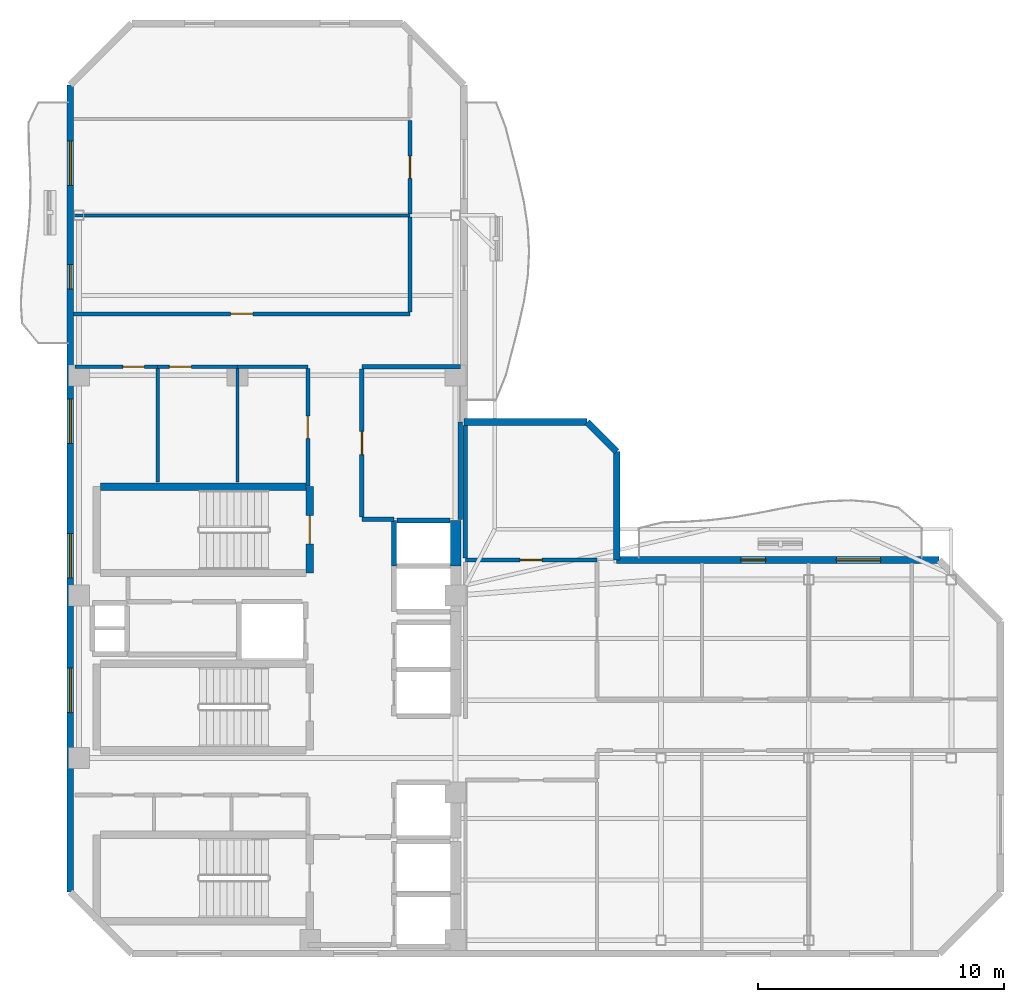
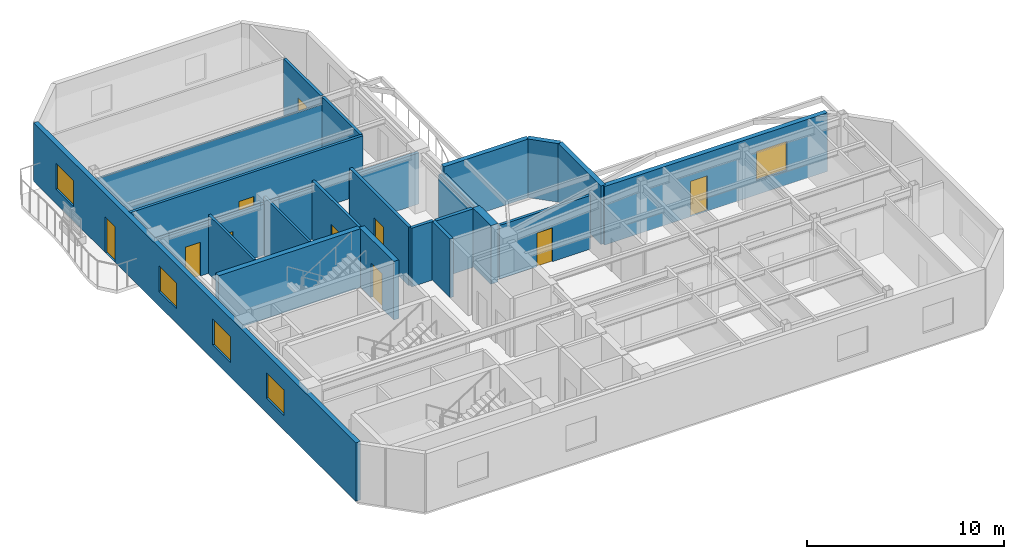
# One storey, part 4 of 7: 26 walls, 10 doors, 5 windows, 15 openings.
"""IFC4 building model written with IfcOpenShell, lengths in metres."""

from ifc_helpers import new_model, si_unit, direction, frame, frame_2d, origin, place, context, subcontext, project, spatial, rectangle, extrude, material, layer, layer_set, type_object, element, fill, save


model = new_model("IFC4")

# Units and contexts
model_context = context("Model", 3, precision=1e-05, world=origin(), true_north=direction((0.0, 1.0)))
body_context = subcontext(model_context, "Body", "Model", "MODEL_VIEW")
ifc_project = project(units=[si_unit("LENGTHUNIT", "METRE"), si_unit("AREAUNIT", "SQUARE_METRE"), si_unit("VOLUMEUNIT", "CUBIC_METRE"), si_unit("PLANEANGLEUNIT", "RADIAN"), si_unit("MASSUNIT", "GRAM", prefix="KILO")], contexts=[model_context])

# Site, building, storey
site_placement = place(None, origin())
site = spatial("IfcSite", under=ifc_project, at=site_placement, CompositionType="ELEMENT")
building_placement = place(site_placement, origin())
building = spatial("IfcBuilding", under=site, at=building_placement, Name="Mawjaban Terraces University", CompositionType="ELEMENT")
storey_placement = place(building_placement, frame((0.0, 0.0, 302.800048828125)))
storey = spatial("IfcBuildingStorey", under=building, at=storey_placement, Name="L74", CompositionType="ELEMENT", Elevation=302.800048828125)

# Walls
ifc_material_1 = material(Name="Acoustic masonry blockwork", Category="masonry")
ifc_layer_1 = layer(ifc_material_1, 0.179931640625)
ifc_layer_set_1 = layer_set([ifc_layer_1], Name="Acoustic masonry blockwork")
wall_type_1 = type_object("IfcWallType", Name="AcousticStudioWall_180", PredefinedType="PARTITIONING", material=ifc_layer_set_1)
wall_1_placement = place(storey_placement, frame((33.85009765625, 17.64990234375, 0.0), z_axis=(0.0, 0.0, 1.0), x_axis=(1.0, 0.0, 0.0)))
element("IfcWall", 1, at=wall_1_placement, inside=storey, type_object=wall_type_1, Name="L74 Graduate Research Collaboration Studio Partition 10", PredefinedType="PARTITIONING", context=body_context, shape_type="SweptSolid", body=[
    extrude(rectangle(XDim=1.2998046875, YDim=0.179931640625, at=frame_2d((0.64990234375, 0.0))), origin(), (0.0, 0.0, 1.0), 3.639892578125),
])
wall_2_placement = place(storey_placement, frame((37.85009765625, 23.85009765625, 0.0), z_axis=(0.0, 0.0, 1.0), x_axis=(-1.0, 0.0, 0.0)))
element("IfcWall", 2, at=wall_2_placement, inside=storey, type_object=wall_type_1, Name="L74 Graduate Research Collaboration Studio Partition 15", PredefinedType="PARTITIONING", context=body_context, shape_type="SweptSolid", body=[
    extrude(rectangle(XDim=4.0, YDim=0.179931640625, at=frame_2d((2.0, 0.0))), origin(), (0.0, 0.0, 1.0), 3.1708984375),
])

# Wall, opening, door
wall_3_placement = place(storey_placement, frame((33.85009765625, 17.735107421875, 0.0), z_axis=(0.0, 0.0, 1.0), x_axis=(0.0, 1.0, 0.0)))
wall_3 = element("IfcWall", 3, at=wall_3_placement, inside=storey, type_object=wall_type_1, Name="L74 Core North Lift Lobby Partition 33", PredefinedType="PARTITIONING", context=body_context, shape_type="SweptSolid", body=[
    extrude(rectangle(XDim=6.02978515625, YDim=0.179931640625, at=frame_2d((3.014892578125, 0.0))), origin(), (0.0, 0.0, 1.0), 3.639892578125),
])
opening_1_placement = place(wall_3_placement, frame((2.5400390625, 0.0, 0.0)))
opening_1 = element("IfcOpeningElement", 4, at=opening_1_placement, cuts=wall_3, Name="Opening ID-095", PredefinedType="OPENING", context=body_context, shape_type="SweptSolid", body=[
    extrude(rectangle(XDim=0.949951171875, YDim=2.10009765625, at=frame_2d((0.47509765625, 1.050048828125))), frame((0.0, 0.099853515625, 0.0), z_axis=(0.0, -1.0, 0.0), x_axis=(1.0, 0.0, 0.0)), (0.0, 0.0, 1.0), 0.199951171875),
])
ifc_material_2 = material(Name="Powder-coated steel frame and solid acoustic timber leaf", Category="steel")
door_type_1 = type_object("IfcDoorType", Name="StudioDoor_950x2100", OperationType="NOTDEFINED", PredefinedType="DOOR", material=ifc_material_2)
door_1_placement = place(opening_1_placement, origin())
door_1 = element("IfcDoor", 5, at=door_1_placement, inside=storey, type_object=door_type_1, Name="L74 Graduate Research Collaboration Studio Door", OperationType="SINGLE_SWING_RIGHT", OverallHeight=2.10009765625, OverallWidth=0.949951171875, PredefinedType="DOOR", context=body_context, shape_type="SweptSolid", body=[
    extrude(rectangle(XDim=0.949951171875, YDim=2.10009765625, at=frame_2d((0.47509765625, 1.050048828125))), frame((0.0, 0.02490234375, 0.0), z_axis=(0.0, -1.0, 0.0), x_axis=(1.0, 0.0, 0.0)), (0.0, 0.0, 1.0), 0.050048828125),
])
fill(opening_1, door_1)

# Walls
wall_4_placement = place(storey_placement, frame((37.85009765625, 17.64990234375, 0.0), z_axis=(0.0, 0.0, 1.0), x_axis=(0.0, 1.0, 0.0)))
element("IfcWall", 6, at=wall_4_placement, inside=storey, type_object=wall_type_1, Name="L74 Graduate Research Collaboration Studio Partition 37", PredefinedType="PARTITIONING", context=body_context, shape_type="SweptSolid", body=[
    extrude(rectangle(XDim=3.9501953125, YDim=0.179931640625, at=frame_2d((1.97509765625, 0.0))), origin(), (0.0, 0.0, 1.0), 3.1708984375),
])
wall_5_placement = place(storey_placement, frame((38.050048828125, 21.468017578125, 0.0), z_axis=(0.0, 0.0, 1.0), x_axis=(0.0, -1.0, 0.0)))
element("IfcWall", 7, at=wall_5_placement, inside=storey, type_object=wall_type_1, Name="L74 Terrace Collaborative Study Room Partition 40", PredefinedType="PARTITIONING", context=body_context, shape_type="SweptSolid", body=[
    extrude(rectangle(XDim=5.39306640625, YDim=0.179931640625, at=frame_2d((2.696533203125, 0.0))), origin(), (0.0, 0.0, 1.0), 3.1708984375),
])
ifc_material_3 = material(Name="Concrete C50/60", Category="concrete")
ifc_layer_2 = layer(ifc_material_3, 0.419921875)
ifc_layer_set_2 = layer_set([ifc_layer_2], Name="Concrete C50/60")
wall_type_2 = type_object("IfcWallType", Name="CoreShearWall_420", PredefinedType="SHEAR", material=ifc_layer_set_2)
wall_6_placement = place(storey_placement, frame((37.659912109375, 15.75, 0.0), z_axis=(0.0, 0.0, 1.0), x_axis=(0.0, 1.0, 0.0)))
element("IfcWall", 8, at=wall_6_placement, inside=storey, type_object=wall_type_2, Name="L74 Lift OL-2 Hoistway Wall East", PredefinedType="SHEAR", context=body_context, shape_type="SweptSolid", body=[
    extrude(rectangle(XDim=1.85009765625, YDim=0.419921875, at=frame_2d((0.925048828125, 0.0))), origin(), (0.0, 0.0, 1.0), 3.639892578125),
])

# Wall, opening, door
ifc_material_4 = material(Name="Fire-rated gypsum board on steel stud", Category="steel")
ifc_layer_3 = layer(ifc_material_4, 0.159912109375)
ifc_layer_set_3 = layer_set([ifc_layer_3], Name="Fire-rated gypsum board on steel stud")
wall_type_3 = type_object("IfcWallType", Name="CorridorPartition_160", PredefinedType="PARTITIONING", material=ifc_layer_set_3)
wall_7_placement = place(storey_placement, frame((25.550048828125, 23.85009765625, 0.0), z_axis=(0.0, 0.0, 1.0), x_axis=(-1.0, 0.0, 0.0)))
wall_7 = element("IfcWall", 9, at=wall_7_placement, inside=storey, type_object=wall_type_3, Name="L74 Ablution Room Partition 5", PredefinedType="PARTITIONING", context=body_context, shape_type="SweptSolid", body=[
    extrude(rectangle(XDim=3.35009765625, YDim=0.159912109375, at=frame_2d((1.675048828125, 0.0))), origin(), (0.0, 0.0, 1.0), 3.1708984375),
])
opening_2_placement = place(wall_7_placement, frame((0.534912109375, 0.0, 0.0)))
opening_2 = element("IfcOpeningElement", 10, at=opening_2_placement, cuts=wall_7, Name="Opening ID-088", PredefinedType="OPENING", context=body_context, shape_type="SweptSolid", body=[
    extrude(rectangle(XDim=0.8798828125, YDim=2.10009765625, at=frame_2d((0.43994140625, 1.050048828125))), frame((0.0, 0.08984375, 0.0), z_axis=(0.0, -1.0, 0.0), x_axis=(1.0, 0.0, 0.0)), (0.0, 0.0, 1.0), 0.179931640625),
])
door_type_2 = type_object("IfcDoorType", Name="ToiletDoor_880x2100", OperationType="NOTDEFINED", PredefinedType="DOOR", material=ifc_material_2)
door_2_placement = place(opening_2_placement, origin())
door_2 = element("IfcDoor", 11, at=door_2_placement, inside=storey, type_object=door_type_2, Name="L74 Ablution Room Door", OperationType="SINGLE_SWING_RIGHT", OverallHeight=2.10009765625, OverallWidth=0.8798828125, PredefinedType="DOOR", context=body_context, shape_type="SweptSolid", body=[
    extrude(rectangle(XDim=0.8798828125, YDim=2.10009765625, at=frame_2d((0.43994140625, 1.050048828125))), frame((0.0, 0.02490234375, 0.0), z_axis=(0.0, -1.0, 0.0), x_axis=(1.0, 0.0, 0.0)), (0.0, 0.0, 1.0), 0.050048828125),
])
fill(opening_2, door_2)

wall_8_placement = place(storey_placement, frame((28.800048828125, 23.85009765625, 0.0), z_axis=(0.0, 0.0, 1.0), x_axis=(-1.0, 0.0, 0.0)))
wall_8 = element("IfcWall", 12, at=wall_8_placement, inside=storey, type_object=wall_type_3, Name="L74 Cleaner Store Partition 7", PredefinedType="PARTITIONING", context=body_context, shape_type="SweptSolid", body=[
    extrude(rectangle(XDim=3.25, YDim=0.159912109375, at=frame_2d((1.625, 0.0))), origin(), (0.0, 0.0, 1.0), 3.1708984375),
])
opening_3_placement = place(wall_8_placement, frame((1.875, 0.0, 0.0)))
opening_3 = element("IfcOpeningElement", 13, at=opening_3_placement, cuts=wall_8, Name="Opening ID-090", PredefinedType="OPENING", context=body_context, shape_type="SweptSolid", body=[
    extrude(rectangle(XDim=0.89990234375, YDim=2.10009765625, at=frame_2d((0.449951171875, 1.050048828125))), frame((0.0, 0.08984375, 0.0), z_axis=(0.0, -1.0, 0.0), x_axis=(1.0, 0.0, 0.0)), (0.0, 0.0, 1.0), 0.179931640625),
])
door_type_3 = type_object("IfcDoorType", Name="OfficeDoor_900x2100", OperationType="NOTDEFINED", PredefinedType="DOOR", material=ifc_material_2)
door_3_placement = place(opening_3_placement, origin())
door_3 = element("IfcDoor", 14, at=door_3_placement, inside=storey, type_object=door_type_3, Name="L74 Cleaner Store Door", OperationType="SINGLE_SWING_LEFT", OverallHeight=2.10009765625, OverallWidth=0.89990234375, PredefinedType="DOOR", context=body_context, shape_type="SweptSolid", body=[
    extrude(rectangle(XDim=0.89990234375, YDim=2.10009765625, at=frame_2d((0.449951171875, 1.050048828125))), frame((0.0, 0.02490234375, 0.0), z_axis=(0.0, -1.0, 0.0), x_axis=(1.0, 0.0, 0.0)), (0.0, 0.0, 1.0), 0.050048828125),
])
fill(opening_3, door_3)

# Wall
wall_9_placement = place(storey_placement, frame((31.64990234375, 23.85009765625, 0.0), z_axis=(0.0, 0.0, 1.0), x_axis=(-1.0, 0.0, 0.0)))
element("IfcWall", 15, at=wall_9_placement, inside=storey, type_object=wall_type_3, Name="L74 Faculty Academic Resource Office Partition 9", PredefinedType="PARTITIONING", context=body_context, shape_type="SweptSolid", body=[
    extrude(rectangle(XDim=2.849853515625, YDim=0.159912109375, at=frame_2d((1.4248046875, 0.0))), origin(), (0.0, 0.0, 1.0), 3.1708984375),
])

# Wall, opening, door
wall_10_placement = place(storey_placement, frame((35.800048828125, 26.0, 0.0), z_axis=(0.0, 0.0, 1.0), x_axis=(-1.0, 0.0, 0.0)))
wall_10 = element("IfcWall", 16, at=wall_10_placement, inside=storey, type_object=wall_type_3, Name="L74 North Core Cross-Corridor Partition 12", PredefinedType="PARTITIONING", context=body_context, shape_type="SweptSolid", body=[
    extrude(rectangle(XDim=13.6669921875, YDim=0.159912109375, at=frame_2d((6.83349609375, 0.0))), origin(), (0.0, 0.0, 1.0), 3.639892578125),
])
opening_4_placement = place(wall_10_placement, frame((6.383056640625, 0.0, 0.0)))
opening_4 = element("IfcOpeningElement", 17, at=opening_4_placement, cuts=wall_10, Name="Opening ID-090", PredefinedType="OPENING", context=body_context, shape_type="SweptSolid", body=[
    extrude(rectangle(XDim=0.89990234375, YDim=2.10009765625, at=frame_2d((0.449951171875, 1.050048828125))), frame((0.0, 0.08984375, 0.0), z_axis=(0.0, -1.0, 0.0), x_axis=(1.0, 0.0, 0.0)), (0.0, 0.0, 1.0), 0.179931640625),
])
door_4_placement = place(opening_4_placement, origin())
door_4 = element("IfcDoor", 18, at=door_4_placement, inside=storey, type_object=door_type_3, Name="L74 Student Tea Pantry 10 Door", OperationType="SINGLE_SWING_LEFT", OverallHeight=2.10009765625, OverallWidth=0.89990234375, PredefinedType="DOOR", context=body_context, shape_type="SweptSolid", body=[
    extrude(rectangle(XDim=0.89990234375, YDim=2.10009765625, at=frame_2d((0.449951171875, 1.050048828125))), frame((0.0, 0.02490234375, 0.0), z_axis=(0.0, -1.0, 0.0), x_axis=(1.0, 0.0, 0.0)), (0.0, 0.0, 1.0), 0.050048828125),
])
fill(opening_4, door_4)

wall_11_placement = place(storey_placement, frame((43.39990234375, 16.0, 0.0), z_axis=(0.0, 0.0, 1.0), x_axis=(-1.0, 0.0, 0.0)))
wall_11 = element("IfcWall", 19, at=wall_11_placement, inside=storey, type_object=wall_type_3, Name="L74 Upper Research Hub Concourse Partition 18", PredefinedType="PARTITIONING", context=body_context, shape_type="SweptSolid", body=[
    extrude(rectangle(XDim=5.349853515625, YDim=0.159912109375, at=frame_2d((2.6748046875, 0.0))), origin(), (0.0, 0.0, 1.0), 3.33984375),
])
opening_5_placement = place(wall_11_placement, frame((2.22509765625, 0.0, 0.0)))
opening_5 = element("IfcOpeningElement", 20, at=opening_5_placement, cuts=wall_11, Name="Opening ID-090", PredefinedType="OPENING", context=body_context, shape_type="SweptSolid", body=[
    extrude(rectangle(XDim=0.89990234375, YDim=2.10009765625, at=frame_2d((0.449951171875, 1.050048828125))), frame((0.0, 0.08984375, 0.0), z_axis=(0.0, -1.0, 0.0), x_axis=(1.0, 0.0, 0.0)), (0.0, 0.0, 1.0), 0.179931640625),
])
door_5_placement = place(opening_5_placement, origin())
door_5 = element("IfcDoor", 21, at=door_5_placement, inside=storey, type_object=door_type_3, Name="L74 Terrace Collaborative Study Room Door", OperationType="SINGLE_SWING_RIGHT", OverallHeight=2.10009765625, OverallWidth=0.89990234375, PredefinedType="DOOR", context=body_context, shape_type="SweptSolid", body=[
    extrude(rectangle(XDim=0.89990234375, YDim=2.10009765625, at=frame_2d((0.449951171875, 1.050048828125))), frame((0.0, 0.02490234375, 0.0), z_axis=(0.0, -1.0, 0.0), x_axis=(1.0, 0.0, 0.0)), (0.0, 0.0, 1.0), 0.050048828125),
])
fill(opening_5, door_5)

wall_12_placement = place(storey_placement, frame((31.64990234375, 19.010009765625, 0.0), z_axis=(0.0, 0.0, 1.0), x_axis=(0.0, 1.0, 0.0)))
wall_12 = element("IfcWall", 22, at=wall_12_placement, inside=storey, type_object=wall_type_3, Name="L74 Faculty Academic Resource Office Partition 32", PredefinedType="PARTITIONING", context=body_context, shape_type="SweptSolid", body=[
    extrude(rectangle(XDim=4.764892578125, YDim=0.159912109375, at=frame_2d((2.38232421875, 0.0))), origin(), (0.0, 0.0, 1.0), 3.639892578125),
])
opening_6_placement = place(wall_12_placement, frame((1.931884765625, 0.0, 0.0)))
opening_6 = element("IfcOpeningElement", 23, at=opening_6_placement, cuts=wall_12, Name="Opening ID-090", PredefinedType="OPENING", context=body_context, shape_type="SweptSolid", body=[
    extrude(rectangle(XDim=0.89990234375, YDim=2.10009765625, at=frame_2d((0.449951171875, 1.050048828125))), frame((0.0, 0.08984375, 0.0), z_axis=(0.0, -1.0, 0.0), x_axis=(1.0, 0.0, 0.0)), (0.0, 0.0, 1.0), 0.179931640625),
])
door_6_placement = place(opening_6_placement, origin())
door_6 = element("IfcDoor", 24, at=door_6_placement, inside=storey, type_object=door_type_3, Name="L74 Faculty Academic Resource Office Door", OperationType="SINGLE_SWING_LEFT", OverallHeight=2.10009765625, OverallWidth=0.89990234375, PredefinedType="DOOR", context=body_context, shape_type="SweptSolid", body=[
    extrude(rectangle(XDim=0.89990234375, YDim=2.10009765625, at=frame_2d((0.449951171875, 1.050048828125))), frame((0.0, 0.02490234375, 0.0), z_axis=(0.0, -1.0, 0.0), x_axis=(1.0, 0.0, 0.0)), (0.0, 0.0, 1.0), 0.050048828125),
])
fill(opening_6, door_6)

# Wall
wall_13_placement = place(storey_placement, frame((35.800048828125, 29.94189453125, 0.0), z_axis=(0.0, 0.0, 1.0), x_axis=(0.0, -1.0, 0.0)))
element("IfcWall", 25, at=wall_13_placement, inside=storey, type_object=wall_type_3, Name="L74 Upper North Research Gallery Partition 34", PredefinedType="PARTITIONING", context=body_context, shape_type="SweptSolid", body=[
    extrude(rectangle(XDim=3.866943359375, YDim=0.159912109375, at=frame_2d((1.93359375, 0.0))), origin(), (0.0, 0.0, 1.0), 3.639892578125),
])

# Wall, opening, door
wall_14_placement = place(storey_placement, frame((35.800048828125, 33.85205078125, 0.0), z_axis=(0.0, 0.0, 1.0), x_axis=(0.0, -1.0, 0.0)))
wall_14 = element("IfcWall", 26, at=wall_14_placement, inside=storey, type_object=wall_type_3, Name="L74 Upper North Research Gallery Partition 35", PredefinedType="PARTITIONING", context=body_context, shape_type="SweptSolid", body=[
    extrude(rectangle(XDim=3.7939453125, YDim=0.159912109375, at=frame_2d((1.89697265625, 0.0))), origin(), (0.0, 0.0, 1.0), 3.639892578125),
])
opening_7_placement = place(wall_14_placement, frame((1.447021484375, 0.0, 0.0)))
opening_7 = element("IfcOpeningElement", 27, at=opening_7_placement, cuts=wall_14, Name="Opening ID-090", PredefinedType="OPENING", context=body_context, shape_type="SweptSolid", body=[
    extrude(rectangle(XDim=0.89990234375, YDim=2.10009765625, at=frame_2d((0.449951171875, 1.050048828125))), frame((0.0, 0.08984375, 0.0), z_axis=(0.0, -1.0, 0.0), x_axis=(1.0, 0.0, 0.0)), (0.0, 0.0, 1.0), 0.179931640625),
])
door_7_placement = place(opening_7_placement, origin())
door_7 = element("IfcDoor", 28, at=door_7_placement, inside=storey, type_object=door_type_3, Name="L74 Student Tea Pantry 11 Door", OperationType="SINGLE_SWING_RIGHT", OverallHeight=2.10009765625, OverallWidth=0.89990234375, PredefinedType="DOOR", context=body_context, shape_type="SweptSolid", body=[
    extrude(rectangle(XDim=0.89990234375, YDim=2.10009765625, at=frame_2d((0.449951171875, 1.050048828125))), frame((0.0, 0.02490234375, 0.0), z_axis=(0.0, -1.0, 0.0), x_axis=(1.0, 0.0, 0.0)), (0.0, 0.0, 1.0), 0.050048828125),
])
fill(opening_7, door_7)

# Wall, openings, door, window
ifc_material_5 = material(Name="Insulated terracotta rainscreen on concrete backup C40/50", Category="masonry")
ifc_layer_4 = layer(ifc_material_5, 0.27490234375)
ifc_layer_set_4 = layer_set([ifc_layer_4], Name="Insulated terracotta rainscreen on concrete backup C40/50")
wall_type_4 = type_object("IfcWallType", Name="ExtTerracottaWall_275", PredefinedType="SOLIDWALL", material=ifc_layer_set_4)
wall_15_placement = place(storey_placement, frame((57.300048828125, 16.0, 0.0), z_axis=(0.0, 0.0, 1.0), x_axis=(-1.0, 0.0, 0.0)))
wall_15 = element("IfcWall", 29, at=wall_15_placement, inside=storey, type_object=wall_type_4, Name="L74 Exterior Terracotta Wall 5", PredefinedType="SOLIDWALL", context=body_context, shape_type="SweptSolid", body=[
    extrude(rectangle(XDim=13.10009765625, YDim=0.27490234375, at=frame_2d((6.550048828125, 0.0))), origin(), (0.0, 0.0, 1.0), 3.639892578125),
])
opening_8_placement = place(wall_15_placement, frame((7.050048828125, 0.0, 0.0)))
opening_8 = element("IfcOpeningElement", 30, at=opening_8_placement, cuts=wall_15, Name="Opening BD-100", PredefinedType="OPENING", context=body_context, shape_type="SweptSolid", body=[
    extrude(rectangle(XDim=1.0, YDim=2.199951171875, at=frame_2d((0.5, 1.10009765625))), frame((0.0, 0.1474609375, 0.0), z_axis=(0.0, -1.0, 0.0), x_axis=(1.0, 0.0, 0.0)), (0.0, 0.0, 1.0), 0.294921875),
])
opening_9_placement = place(wall_15_placement, frame((2.375, 0.0, 0.89990234375)))
opening_9 = element("IfcOpeningElement", 31, at=opening_9_placement, cuts=wall_15, Name="Opening W-07", PredefinedType="OPENING", context=body_context, shape_type="SweptSolid", body=[
    extrude(rectangle(XDim=1.800048828125, YDim=1.800048828125, at=frame_2d((0.89990234375, 0.89990234375))), frame((0.0, 0.1474609375, 0.0), z_axis=(0.0, -1.0, 0.0), x_axis=(1.0, 0.0, 0.0)), (0.0, 0.0, 1.0), 0.294921875),
])
ifc_material_6 = material(Name="Thermally broken anodised aluminium and laminated safety glass", Category="aluminium")
door_type_4 = type_object("IfcDoorType", Name="BalconyGlazedDoor_1000x2200", OperationType="NOTDEFINED", PredefinedType="DOOR", material=ifc_material_6)
door_8_placement = place(opening_8_placement, origin())
door_8 = element("IfcDoor", 32, at=door_8_placement, inside=storey, type_object=door_type_4, Name="L74 Balcony Access Door inner_north", OperationType="SINGLE_SWING_LEFT", OverallHeight=2.199951171875, OverallWidth=1.0, PredefinedType="DOOR", context=body_context, shape_type="SweptSolid", body=[
    extrude(rectangle(XDim=1.0, YDim=2.199951171875, at=frame_2d((0.5, 1.10009765625))), frame((0.0, 0.02490234375, 0.0), z_axis=(0.0, -1.0, 0.0), x_axis=(1.0, 0.0, 0.0)), (0.0, 0.0, 1.0), 0.050048828125),
])
fill(opening_8, door_8)
ifc_material_7 = material(Name="Low-E solar-control double glazing in thermally broken aluminium frame", Category="aluminium")
window_type_1 = type_object("IfcWindowType", Name="Win_1800x1800", PartitioningType="SINGLE_PANEL", PredefinedType="WINDOW", material=ifc_material_7)
window_1_placement = place(opening_9_placement, origin())
window_1 = element("IfcWindow", 33, at=window_1_placement, inside=storey, type_object=window_type_1, Name="L74 Facade Window 5.1", OverallHeight=1.800048828125, OverallWidth=1.800048828125, PartitioningType="SINGLE_PANEL", PredefinedType="WINDOW", context=body_context, shape_type="SweptSolid", body=[
    extrude(rectangle(XDim=1.800048828125, YDim=1.800048828125, at=frame_2d((0.89990234375, 0.89990234375))), frame((0.0, 0.030029296875, 0.0), z_axis=(0.0, -1.0, 0.0), x_axis=(1.0, 0.0, 0.0)), (0.0, 0.0, 1.0), 0.06005859375),
])
fill(opening_9, window_1)

# Walls
wall_16_placement = place(storey_placement, frame((44.199951171875, 16.0, 0.0), z_axis=(0.0, 0.0, 1.0), x_axis=(0.0, 1.0, 0.0)))
element("IfcWall", 34, at=wall_16_placement, inside=storey, type_object=wall_type_4, Name="L74 Exterior Terracotta Wall 6", PredefinedType="SOLIDWALL", context=body_context, shape_type="SweptSolid", body=[
    extrude(rectangle(XDim=4.39990234375, YDim=0.27490234375, at=frame_2d((2.199951171875, 0.0))), origin(), (0.0, 0.0, 1.0), 3.639892578125),
])
wall_17_placement = place(storey_placement, frame((44.199951171875, 20.39990234375, 0.0), z_axis=(0.0, 0.0, 1.0), x_axis=(-0.707034851297, 0.707178703759, 0.0)))
element("IfcWall", 35, at=wall_17_placement, inside=storey, type_object=wall_type_4, Name="L74 Exterior Terracotta Wall 7", PredefinedType="SOLIDWALL", context=body_context, shape_type="SweptSolid", body=[
    extrude(rectangle(XDim=1.697265625, YDim=0.27490234375, at=frame_2d((0.8486328125, 0.0))), origin(), (0.0, 0.0, 1.0), 3.639892578125),
])
wall_18_placement = place(storey_placement, frame((43.0, 21.60009765625, 0.0), z_axis=(0.0, 0.0, 1.0), x_axis=(-1.0, 0.0, 0.0)))
element("IfcWall", 36, at=wall_18_placement, inside=storey, type_object=wall_type_4, Name="L74 Exterior Terracotta Wall 8", PredefinedType="SOLIDWALL", context=body_context, shape_type="SweptSolid", body=[
    extrude(rectangle(XDim=5.0, YDim=0.27490234375, at=frame_2d((2.5, 0.0))), origin(), (0.0, 0.0, 1.0), 3.639892578125),
])

# Wall, openings, door, windows
wall_19_placement = place(storey_placement, frame((22.0, 35.300048828125, 0.0), z_axis=(0.0, 0.0, 1.0), x_axis=(0.0, -1.0, 0.0)))
wall_19 = element("IfcWall", 37, at=wall_19_placement, inside=storey, type_object=wall_type_4, Name="L74 Exterior Terracotta Wall 13", PredefinedType="SOLIDWALL", context=body_context, shape_type="SweptSolid", body=[
    extrude(rectangle(XDim=32.800048828125, YDim=0.27490234375, at=frame_2d((16.39990234375, 0.0))), origin(), (0.0, 0.0, 1.0), 3.639892578125),
])
opening_10_placement = place(wall_19_placement, frame((7.300048828125, 0.0, 0.0)))
opening_10 = element("IfcOpeningElement", 38, at=opening_10_placement, cuts=wall_19, Name="Opening BD-100", PredefinedType="OPENING", context=body_context, shape_type="SweptSolid", body=[
    extrude(rectangle(XDim=1.0, YDim=2.199951171875, at=frame_2d((0.5, 1.10009765625))), frame((0.0, 0.1474609375, 0.0), z_axis=(0.0, -1.0, 0.0), x_axis=(1.0, 0.0, 0.0)), (0.0, 0.0, 1.0), 0.294921875),
])
opening_11_placement = place(wall_19_placement, frame((2.282958984375, 0.0, 0.89990234375)))
opening_11 = element("IfcOpeningElement", 39, at=opening_11_placement, cuts=wall_19, Name="Opening W-03", PredefinedType="OPENING", context=body_context, shape_type="SweptSolid", body=[
    extrude(rectangle(XDim=1.800048828125, YDim=1.60009765625, at=frame_2d((0.89990234375, 0.800048828125))), frame((0.0, 0.1474609375, 0.0), z_axis=(0.0, -1.0, 0.0), x_axis=(1.0, 0.0, 0.0)), (0.0, 0.0, 1.0), 0.294921875),
])
opening_12_placement = place(wall_19_placement, frame((12.76708984375, 0.0, 0.89990234375)))
opening_12 = element("IfcOpeningElement", 40, at=opening_12_placement, cuts=wall_19, Name="Opening W-03", PredefinedType="OPENING", context=body_context, shape_type="SweptSolid", body=[
    extrude(rectangle(XDim=1.800048828125, YDim=1.60009765625, at=frame_2d((0.89990234375, 0.800048828125))), frame((0.0, 0.1474609375, 0.0), z_axis=(0.0, -1.0, 0.0), x_axis=(1.0, 0.0, 0.0)), (0.0, 0.0, 1.0), 0.294921875),
])
opening_13_placement = place(wall_19_placement, frame((18.23291015625, 0.0, 0.89990234375)))
opening_13 = element("IfcOpeningElement", 41, at=opening_13_placement, cuts=wall_19, Name="Opening W-03", PredefinedType="OPENING", context=body_context, shape_type="SweptSolid", body=[
    extrude(rectangle(XDim=1.800048828125, YDim=1.60009765625, at=frame_2d((0.89990234375, 0.800048828125))), frame((0.0, 0.1474609375, 0.0), z_axis=(0.0, -1.0, 0.0), x_axis=(1.0, 0.0, 0.0)), (0.0, 0.0, 1.0), 0.294921875),
])
opening_14_placement = place(wall_19_placement, frame((23.699951171875, 0.0, 0.89990234375)))
opening_14 = element("IfcOpeningElement", 42, at=opening_14_placement, cuts=wall_19, Name="Opening W-03", PredefinedType="OPENING", context=body_context, shape_type="SweptSolid", body=[
    extrude(rectangle(XDim=1.800048828125, YDim=1.60009765625, at=frame_2d((0.89990234375, 0.800048828125))), frame((0.0, 0.1474609375, 0.0), z_axis=(0.0, -1.0, 0.0), x_axis=(1.0, 0.0, 0.0)), (0.0, 0.0, 1.0), 0.294921875),
])
door_9_placement = place(opening_10_placement, origin())
door_9 = element("IfcDoor", 43, at=door_9_placement, inside=storey, type_object=door_type_4, Name="L74 Balcony Access Door west", OperationType="SINGLE_SWING_LEFT", OverallHeight=2.199951171875, OverallWidth=1.0, PredefinedType="DOOR", context=body_context, shape_type="SweptSolid", body=[
    extrude(rectangle(XDim=1.0, YDim=2.199951171875, at=frame_2d((0.5, 1.10009765625))), frame((0.0, 0.02490234375, 0.0), z_axis=(0.0, -1.0, 0.0), x_axis=(1.0, 0.0, 0.0)), (0.0, 0.0, 1.0), 0.050048828125),
])
fill(opening_10, door_9)
window_type_2 = type_object("IfcWindowType", Name="Win_1800x1600", PartitioningType="SINGLE_PANEL", PredefinedType="WINDOW", material=ifc_material_7)
window_2_placement = place(opening_11_placement, origin())
window_2 = element("IfcWindow", 44, at=window_2_placement, inside=storey, type_object=window_type_2, Name="L74 Facade Window 13.1", OverallHeight=1.60009765625, OverallWidth=1.800048828125, PartitioningType="SINGLE_PANEL", PredefinedType="WINDOW", context=body_context, shape_type="SweptSolid", body=[
    extrude(rectangle(XDim=1.800048828125, YDim=1.60009765625, at=frame_2d((0.89990234375, 0.800048828125))), frame((0.0, 0.030029296875, 0.0), z_axis=(0.0, -1.0, 0.0), x_axis=(1.0, 0.0, 0.0)), (0.0, 0.0, 1.0), 0.06005859375),
])
fill(opening_11, window_2)
window_3_placement = place(opening_12_placement, origin())
window_3 = element("IfcWindow", 45, at=window_3_placement, inside=storey, type_object=window_type_2, Name="L74 Facade Window 13.3", OverallHeight=1.60009765625, OverallWidth=1.800048828125, PartitioningType="SINGLE_PANEL", PredefinedType="WINDOW", context=body_context, shape_type="SweptSolid", body=[
    extrude(rectangle(XDim=1.800048828125, YDim=1.60009765625, at=frame_2d((0.89990234375, 0.800048828125))), frame((0.0, 0.030029296875, 0.0), z_axis=(0.0, -1.0, 0.0), x_axis=(1.0, 0.0, 0.0)), (0.0, 0.0, 1.0), 0.06005859375),
])
fill(opening_12, window_3)
window_4_placement = place(opening_13_placement, origin())
window_4 = element("IfcWindow", 46, at=window_4_placement, inside=storey, type_object=window_type_2, Name="L74 Facade Window 13.4", OverallHeight=1.60009765625, OverallWidth=1.800048828125, PartitioningType="SINGLE_PANEL", PredefinedType="WINDOW", context=body_context, shape_type="SweptSolid", body=[
    extrude(rectangle(XDim=1.800048828125, YDim=1.60009765625, at=frame_2d((0.89990234375, 0.800048828125))), frame((0.0, 0.030029296875, 0.0), z_axis=(0.0, -1.0, 0.0), x_axis=(1.0, 0.0, 0.0)), (0.0, 0.0, 1.0), 0.06005859375),
])
fill(opening_13, window_4)
window_5_placement = place(opening_14_placement, origin())
window_5 = element("IfcWindow", 47, at=window_5_placement, inside=storey, type_object=window_type_2, Name="L74 Facade Window 13.5", OverallHeight=1.60009765625, OverallWidth=1.800048828125, PartitioningType="SINGLE_PANEL", PredefinedType="WINDOW", context=body_context, shape_type="SweptSolid", body=[
    extrude(rectangle(XDim=1.800048828125, YDim=1.60009765625, at=frame_2d((0.89990234375, 0.800048828125))), frame((0.0, 0.030029296875, 0.0), z_axis=(0.0, -1.0, 0.0), x_axis=(1.0, 0.0, 0.0)), (0.0, 0.0, 1.0), 0.06005859375),
])
fill(opening_14, window_5)

# Walls
ifc_material_8 = material(Name="Concrete C40/50", Category="concrete")
ifc_layer_5 = layer(ifc_material_8, 0.199951171875)
ifc_layer_set_5 = layer_set([ifc_layer_5], Name="Concrete C40/50")
wall_type_5 = type_object("IfcWallType", Name="FireLobbyWall_200", PredefinedType="SOLIDWALL", material=ifc_layer_set_5)
wall_20_placement = place(storey_placement, frame((35.14990234375, 17.60009765625, 0.0), z_axis=(0.0, 0.0, 1.0), x_axis=(0.0, -1.0, 0.0)))
element("IfcWall", 48, at=wall_20_placement, inside=storey, type_object=wall_type_5, Name="L74 Lift OL-2 Hoistway Wall West", PredefinedType="SOLIDWALL", context=body_context, shape_type="SweptSolid", body=[
    extrude(rectangle(XDim=1.85009765625, YDim=0.199951171875, at=frame_2d((0.925048828125, 0.0))), origin(), (0.0, 0.0, 1.0), 3.639892578125),
])
wall_21_placement = place(storey_placement, frame((37.419921875, 17.60009765625, 0.0), z_axis=(0.0, 0.0, 1.0), x_axis=(-1.0, 0.0, 0.0)))
element("IfcWall", 49, at=wall_21_placement, inside=storey, type_object=wall_type_5, Name="L74 Lift OL-2 Hoistway Wall North", PredefinedType="SOLIDWALL", context=body_context, shape_type="SweptSolid", body=[
    extrude(rectangle(XDim=2.139892578125, YDim=0.199951171875, at=frame_2d((1.06982421875, 0.0))), origin(), (0.0, 0.0, 1.0), 3.639892578125),
])
ifc_material_9 = material(Name="Gypsum plasterboard on steel stud", Category="steel")
ifc_layer_6 = layer(ifc_material_9, 0.125)
ifc_layer_set_6 = layer_set([ifc_layer_6], Name="Gypsum plasterboard on steel stud")
wall_type_6 = type_object("IfcWallType", Name="OfficePartition_125", PredefinedType="PARTITIONING", material=ifc_layer_set_6)
wall_22_placement = place(storey_placement, frame((35.800048828125, 30.0, 0.0), z_axis=(0.0, 0.0, 1.0), x_axis=(-1.0, 0.0, 0.0)))
element("IfcWall", 50, at=wall_22_placement, inside=storey, type_object=wall_type_6, Name="L74 Student Tea Pantry 10 Partition 13", PredefinedType="PARTITIONING", context=body_context, shape_type="SweptSolid", body=[
    extrude(rectangle(XDim=13.6669921875, YDim=0.125, at=frame_2d((6.83349609375, 0.0))), origin(), (0.0, 0.0, 1.0), 3.1708984375),
])
wall_23_placement = place(storey_placement, frame((28.800048828125, 23.77490234375, 0.0), z_axis=(0.0, 0.0, 1.0), x_axis=(0.0, -1.0, 0.0)))
element("IfcWall", 51, at=wall_23_placement, inside=storey, type_object=wall_type_6, Name="L74 Faculty Academic Resource Office Partition 30", PredefinedType="PARTITIONING", context=body_context, shape_type="SweptSolid", body=[
    extrude(rectangle(XDim=4.614990234375, YDim=0.125, at=frame_2d((2.3076171875, 0.0))), origin(), (0.0, 0.0, 1.0), 3.639892578125),
])
ifc_material_10 = material(Name="Concrete C60/75", Category="concrete")
ifc_layer_7 = layer(ifc_material_10, 0.300048828125)
ifc_layer_set_7 = layer_set([ifc_layer_7], Name="Concrete C60/75")
wall_type_7 = type_object("IfcWallType", Name="StairShaftWall_300", PredefinedType="SHEAR", material=ifc_layer_set_7)
wall_24_placement = place(storey_placement, frame((31.580078125, 18.97998046875, 0.0), z_axis=(0.0, 0.0, 1.0), x_axis=(-1.0, 0.0, 0.0)))
element("IfcWall", 52, at=wall_24_placement, inside=storey, type_object=wall_type_7, Name="L74 ST-2 Stair Shaft Wall 1", PredefinedType="SHEAR", context=body_context, shape_type="SweptSolid", body=[
    extrude(rectangle(XDim=8.360107421875, YDim=0.300048828125, at=frame_2d((4.18017578125, 0.0))), origin(), (0.0, 0.0, 1.0), 3.639892578125),
])

# Wall, opening, door
wall_25_placement = place(storey_placement, frame((31.72998046875, 15.469970703125, 0.0), z_axis=(0.0, 0.0, 1.0), x_axis=(0.0, 1.0, 0.0)))
wall_25 = element("IfcWall", 53, at=wall_25_placement, inside=storey, type_object=wall_type_7, Name="L74 ST-2 Stair Shaft Wall 4", PredefinedType="SHEAR", context=body_context, shape_type="SweptSolid", body=[
    extrude(rectangle(XDim=3.510009765625, YDim=0.300048828125, at=frame_2d((1.7548828125, 0.0))), origin(), (0.0, 0.0, 1.0), 3.639892578125),
])
opening_15_placement = place(wall_25_placement, frame((1.179931640625, 0.0, 0.0)))
opening_15 = element("IfcOpeningElement", 54, at=opening_15_placement, cuts=wall_25, Name="Opening FD-115", PredefinedType="OPENING", context=body_context, shape_type="SweptSolid", body=[
    extrude(rectangle(XDim=1.14990234375, YDim=2.14990234375, at=frame_2d((0.574951171875, 1.074951171875))), frame((0.0, 0.159912109375, 0.0), z_axis=(0.0, -1.0, 0.0), x_axis=(1.0, 0.0, 0.0)), (0.0, 0.0, 1.0), 0.320068359375),
])
ifc_material_11 = material(Name="Powder-coated steel frame and fire-rated steel-faced leaf", Category="steel")
door_type_5 = type_object("IfcDoorType", Name="FireStairDoor_1150x2150", OperationType="NOTDEFINED", PredefinedType="DOOR", material=ifc_material_11)
door_10_placement = place(opening_15_placement, origin())
door_10 = element("IfcDoor", 55, at=door_10_placement, inside=storey, type_object=door_type_5, Name="L74 ST-2 Pressurised Stair Fire Door", OperationType="SINGLE_SWING_LEFT", OverallHeight=2.14990234375, OverallWidth=1.14990234375, PredefinedType="DOOR", context=body_context, shape_type="SweptSolid", body=[
    extrude(rectangle(XDim=1.14990234375, YDim=2.14990234375, at=frame_2d((0.574951171875, 1.074951171875))), frame((0.0, 0.02490234375, 0.0), z_axis=(0.0, -1.0, 0.0), x_axis=(1.0, 0.0, 0.0)), (0.0, 0.0, 1.0), 0.050048828125),
])
fill(opening_15, door_10)

# Wall
ifc_material_12 = material(Name="Cement-board wet-room partition", Category="masonry")
ifc_layer_8 = layer(ifc_material_12, 0.135009765625)
ifc_layer_set_8 = layer_set([ifc_layer_8], Name="Cement-board wet-room partition")
wall_type_8 = type_object("IfcWallType", Name="WetRoomPartition_135", PredefinedType="PARTITIONING", material=ifc_layer_set_8)
wall_26_placement = place(storey_placement, frame((25.550048828125, 19.159912109375, 0.0), z_axis=(0.0, 0.0, 1.0), x_axis=(0.0, 1.0, 0.0)))
element("IfcWall", 56, at=wall_26_placement, inside=storey, type_object=wall_type_8, Name="L74 Ablution Room Partition 28", PredefinedType="PARTITIONING", context=body_context, shape_type="SweptSolid", body=[
    extrude(rectangle(XDim=4.614990234375, YDim=0.135009765625, at=frame_2d((2.3076171875, 0.0))), origin(), (0.0, 0.0, 1.0), 3.639892578125),
])

save(model, "model.ifc")
